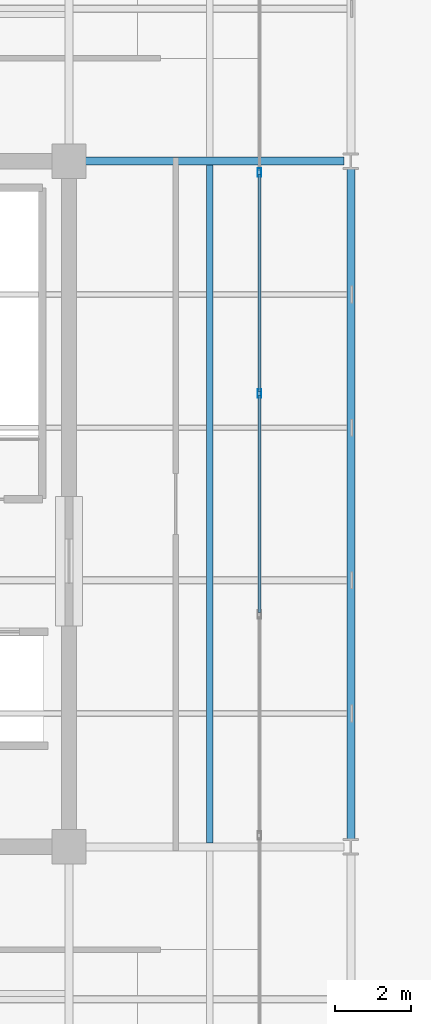
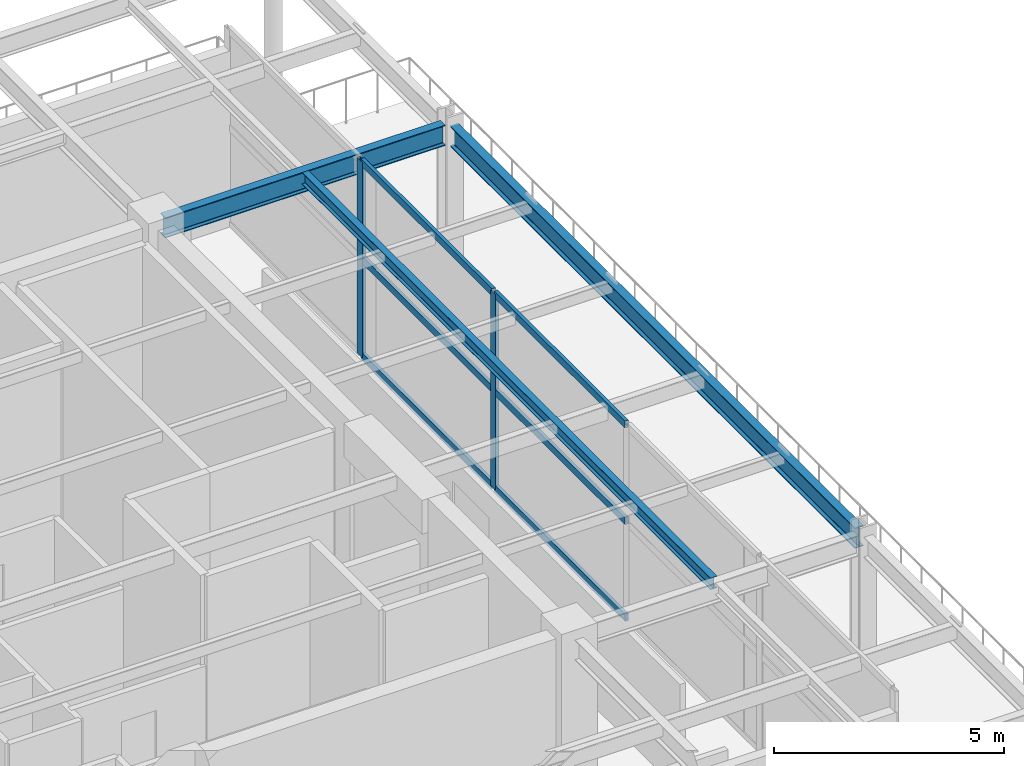
# One storey, part 7 of 16: 8 members, 3 beams, 1 element without a shape of its own.
"""IFC4 building model written with IfcOpenShell, lengths in metres."""

import ifcopenshell
import ifcopenshell.guid

model = None  # the IFC model being written
_history = None  # IfcOwnerHistory: only IFC2X3 demands one
_inside = {}  # id of a spatial element -> (the spatial element, [elements in it])
_under = {}  # id of a project, library or spatial element -> (it, [spatial elements below it])
_declared = {}  # id of a project -> (the project, [libraries it declares])
_typed = {}  # id of a type object -> (the type object, [elements of that type])
_made_of = {}  # id of a material, layer set ... -> (it, [elements and type objects made of it])


def new_model(schema):
    """Start an empty IFC model of exactly this schema.

    Asked for "IFC4X3", IfcOpenShell would pick the latest addendum, in which some entities
    have other attributes; the version numbers below select the first issue.
    IFC2X3 requires an IfcOwnerHistory on every rooted entity: one is made here for all.
    """
    global model, _history
    if schema == "IFC4X3":
        model = ifcopenshell.file(schema_version=(4, 3, 0, 0))
    else:
        model = ifcopenshell.file(schema=schema)
    _inside.clear()
    _under.clear()
    _declared.clear()
    _typed.clear()
    _made_of.clear()
    _history = None
    if model.schema == "IFC2X3":
        org = make("IfcOrganization", Name="unknown")
        user = make(
            "IfcPersonAndOrganization",
            ThePerson=make("IfcPerson", FamilyName="unknown"),
            TheOrganization=org,
        )
        app = make(
            "IfcApplication",
            ApplicationDeveloper=org,
            Version="unknown",
            ApplicationFullName="unknown",
            ApplicationIdentifier="unknown",
        )
        _history = make(
            "IfcOwnerHistory",
            OwningUser=user,
            OwningApplication=app,
            ChangeAction="ADDED",
            CreationDate=0,
        )
    return model


def make(cls, **values):
    """One entity of the class cls with the attributes given. An attribute that is None is left unset."""
    return model.create_entity(
        cls, **{name: value for name, value in values.items() if value is not None}
    )


def rooted(cls, **values):
    """An entity with a GlobalId (a new one), such as an element, a storey or a relation."""
    return make(cls, GlobalId=ifcopenshell.guid.new(), OwnerHistory=_history, **values)


def si_unit(unit_type, name, prefix=None):
    """IfcSIUnit, for example si_unit("LENGTHUNIT", "METRE", prefix="MILLI")."""
    return make("IfcSIUnit", UnitType=unit_type, Prefix=prefix, Name=name)


def assignment(units):
    """IfcUnitAssignment: the units of a project."""
    return None if units is None else make("IfcUnitAssignment", Units=units)


def point(xyz):
    """IfcCartesianPoint."""
    return None if xyz is None else make("IfcCartesianPoint", Coordinates=xyz)


def direction(xyz):
    """IfcDirection."""
    return None if xyz is None else make("IfcDirection", DirectionRatios=xyz)


def frame(location, z_axis=None, x_axis=None):
    """IfcAxis2Placement3D, a coordinate frame: its origin and axes. An axis left out is left unset."""
    return make(
        "IfcAxis2Placement3D",
        Location=point(location),
        Axis=direction(z_axis),
        RefDirection=direction(x_axis),
    )


def frame_2d(location, x_axis=None):
    """IfcAxis2Placement2D, a coordinate frame in the plane: its origin and x axis."""
    return make(
        "IfcAxis2Placement2D", Location=point(location), RefDirection=direction(x_axis)
    )


def origin():
    """The frame at (0, 0, 0) with its axes left unset."""
    return frame((0.0, 0.0, 0.0))


def origin_2d():
    """The frame at (0, 0) in the plane with its x axis left unset."""
    return frame_2d((0.0, 0.0))


def place(relative_to, where):
    """IfcLocalPlacement: puts the frame where relative to a parent placement (None: the world)."""
    return make(
        "IfcLocalPlacement", PlacementRelTo=relative_to, RelativePlacement=where
    )


def context(
    kind, dimensions, precision=None, world=None, true_north=None, identifier=None
):
    """IfcGeometricRepresentationContext, for example the 3D "Model" context."""
    return make(
        "IfcGeometricRepresentationContext",
        ContextIdentifier=identifier,
        ContextType=kind,
        CoordinateSpaceDimension=dimensions,
        Precision=precision,
        WorldCoordinateSystem=world,
        TrueNorth=true_north,
    )


def subcontext(parent, identifier, kind, view, scale=None):
    """IfcGeometricRepresentationSubContext, for example "Body" below "Model"."""
    return make(
        "IfcGeometricRepresentationSubContext",
        ContextIdentifier=identifier,
        ContextType=kind,
        ParentContext=parent,
        TargetScale=scale,
        TargetView=view,
    )


def project(units=None, contexts=None):
    """IfcProject with its units and contexts."""
    return rooted(
        "IfcProject",
        Name="project",
        RepresentationContexts=contexts,
        UnitsInContext=assignment(units),
    )


def spatial(cls, under=None, at=None, **own):
    """A site, building, storey or space (cls), placed at a placement, below another one or the project."""
    s = rooted(cls, ObjectPlacement=at, **own)
    if under is not None:
        _under.setdefault(under.id(), (under, []))[1].append(s)
    return s


def profile(cls, at=None, kind="AREA", **sizes):
    """A parametric profile (cls). Its sizes go by their IFC names, for example OverallWidth=200.0."""
    return make(cls, ProfileType=kind, Position=at, **sizes)


def hollow_rectangle(**sizes):
    """IfcRectangleHollowProfileDef."""
    return profile("IfcRectangleHollowProfileDef", **sizes)


def i_section(**sizes):
    """IfcIShapeProfileDef."""
    return profile("IfcIShapeProfileDef", **sizes)


def extrude(swept, where, along, depth):
    """IfcExtrudedAreaSolid: the profile swept, set in the frame where, extruded along a direction by depth."""
    return make(
        "IfcExtrudedAreaSolid",
        SweptArea=swept,
        Position=where,
        ExtrudedDirection=direction(along),
        Depth=depth,
    )


def shape(context_of_items, identifier, shape_type, items):
    """IfcShapeRepresentation: the items that make up one representation, for example the "Body"."""
    return make(
        "IfcShapeRepresentation",
        ContextOfItems=context_of_items,
        RepresentationIdentifier=identifier,
        RepresentationType=shape_type,
        Items=items,
    )


def material(Name=None, Category=None):
    """IfcMaterial."""
    return make("IfcMaterial", Name=Name, Category=Category)


def material_profile(
    of_material, cross_section, Name=None, Category=None, Priority=None
):
    """IfcMaterialProfile: a cross section and its material."""
    return make(
        "IfcMaterialProfile",
        Name=Name,
        Material=of_material,
        Profile=cross_section,
        Priority=Priority,
        Category=Category,
    )


def profile_set(profiles, Name=None, composite=None):
    """IfcMaterialProfileSet."""
    return make(
        "IfcMaterialProfileSet",
        Name=Name,
        MaterialProfiles=profiles,
        CompositeProfile=composite,
    )


def made_of(thing, what):
    """Note that an element or type object is made of a material, layer set ...; save() writes the relation."""
    if what is not None:
        _made_of.setdefault(what.id(), (what, []))[1].append(thing)
    return thing


def type_object(cls, material=None, **own):
    """A type object (cls), such as IfcWallType, which elements share."""
    return made_of(rooted(cls, **own), material)


def element(
    cls,
    number,
    at=None,
    inside=None,
    cuts=None,
    type_object=None,
    material=None,
    context=None,
    identifier="Body",
    shape_type=None,
    held_by="IfcProductDefinitionShape",
    body=None,
    shapes=None,
    **own,
):
    """One element of the class cls, such as IfcWall. Its Tag is "e" and its number.

    at: its placement. inside: the storey or other place that contains it. cuts: it is an
    opening in that element (IfcRelVoidsElement). A single representation is given by context,
    identifier, shape_type and body (its items); several are given by shapes. held_by: the class
    of the entity that holds the representations. save() writes the other relations.
    """
    e = rooted(cls, Tag="e%d" % number, ObjectPlacement=at, **own)
    if body is not None:
        shapes = [shape(context, identifier, shape_type, body)]
    if shapes is not None:
        e.Representation = make(held_by, Representations=shapes)
    if inside is not None:
        _inside.setdefault(inside.id(), (inside, []))[1].append(e)
    if cuts is not None:
        rooted(
            "IfcRelVoidsElement", RelatingBuildingElement=cuts, RelatedOpeningElement=e
        )
    if type_object is not None:
        _typed.setdefault(type_object.id(), (type_object, []))[1].append(e)
    return made_of(e, material)


def aggregate(whole, parts):
    """IfcRelAggregates: a whole, such as a stair, and the parts it consists of."""
    return rooted("IfcRelAggregates", RelatingObject=whole, RelatedObjects=parts)


def save(model, path):
    """Write the relations noted so far, then the file.

    IfcRelAggregates (storeys below a building ...), IfcRelContainedInSpatialStructure (elements
    in a storey), IfcRelDefinesByType, IfcRelAssociatesMaterial and IfcRelDeclares: one each for
    every whole, place, type object, material and project.
    """
    for whole, parts in _under.values():
        aggregate(whole, parts)
    for where, things in _inside.values():
        rooted(
            "IfcRelContainedInSpatialStructure",
            RelatedElements=things,
            RelatingStructure=where,
        )
    for kind, things in _typed.values():
        rooted("IfcRelDefinesByType", RelatedObjects=things, RelatingType=kind)
    for what, things in _made_of.values():
        rooted("IfcRelAssociatesMaterial", RelatedObjects=things, RelatingMaterial=what)
    for by, libraries in _declared.values():
        rooted("IfcRelDeclares", RelatingContext=by, RelatedDefinitions=libraries)
    model.write(path)


model = new_model("IFC4")

# Units and contexts
model_context = context("Model", 3, precision=1e-05, world=origin(), true_north=direction((0.0, 1.0)))
body_context = subcontext(model_context, "Body", "Model", "MODEL_VIEW")
ifc_project = project(units=[si_unit("LENGTHUNIT", "METRE"), si_unit("AREAUNIT", "SQUARE_METRE"), si_unit("VOLUMEUNIT", "CUBIC_METRE"), si_unit("PLANEANGLEUNIT", "RADIAN"), si_unit("MASSUNIT", "GRAM", prefix="KILO")], contexts=[model_context])

# Site, building, storey
site_placement = place(None, origin())
site = spatial("IfcSite", under=ifc_project, at=site_placement, CompositionType="ELEMENT")
building_placement = place(site_placement, origin())
building = spatial("IfcBuilding", under=site, at=building_placement, Name="Kovane Verandah Tower", CompositionType="ELEMENT")
storey_placement = place(building_placement, frame((0.0, 0.0, 354.300048828125)))
storey = spatial("IfcBuildingStorey", under=building, at=storey_placement, Name="L82", CompositionType="ELEMENT", Elevation=354.300048828125)

# Beams
ifc_material_1 = material(Name="Steel S355", Category="steel")
ifc_material_profile_1 = material_profile(ifc_material_1, i_section(OverallWidth=0.2119140625, OverallDepth=0.54443359375, WebThickness=0.0126953125, FlangeThickness=0.021240234375, FilletRadius=0.0126953125, at=origin_2d()), Name="UB533x210x122")
ifc_profile_set_1 = profile_set([ifc_material_profile_1], Name="Steel S355")
beam_type_1 = type_object("IfcBeamType", Name="BM-UB533x122", PredefinedType="BEAM", material=ifc_profile_set_1)
beam_1_placement = place(storey_placement, frame((58.39990234375, 18.679931640625, 4.9677734375), z_axis=(0.0, 1.0, 0.0), x_axis=(-1.0, 0.0, 0.0)))
element("IfcBeam", 1, at=beam_1_placement, inside=storey, type_object=beam_type_1, Name="L82 Primary Tower Girder G-RE2", PredefinedType="BEAM", context=body_context, shape_type="SweptSolid", body=[
    extrude(i_section(OverallWidth=0.2119140625, OverallDepth=0.54443359375, WebThickness=0.0126953125, FlangeThickness=0.021240234375, FilletRadius=0.0126953125, at=origin_2d()), origin(), (0.0, 0.0, 1.0), 17.64013671875),
])
beam_2_placement = place(storey_placement, frame((51.179931640625, 36.5, 4.9677734375), z_axis=(1.0, 0.0, 0.0), x_axis=(0.0, 1.0, 0.0)))
element("IfcBeam", 2, at=beam_2_placement, inside=storey, type_object=beam_type_1, Name="L82 Primary Tower Girder G-E2", PredefinedType="BEAM", context=body_context, shape_type="SweptSolid", body=[
    extrude(i_section(OverallWidth=0.2119140625, OverallDepth=0.54443359375, WebThickness=0.0126953125, FlangeThickness=0.021240234375, FilletRadius=0.0126953125, at=origin_2d()), origin(), (0.0, 0.0, 1.0), 7.0400390625),
])

# Curtain wall, members
ifc_material_2 = material(Name="Champagne Anodised Aluminium Frame with Low-E Clear Laminated Glass", Category="aluminium")
curtain_wall_type = type_object("IfcCurtainWallType", Name="CW-SYS-06-CROWN", PredefinedType="NOTDEFINED", material=ifc_material_2)
curtain_wall_placement = place(storey_placement, origin())
curtain_wall = element("IfcCurtainWall", 3, at=curtain_wall_placement, inside=storey, type_object=curtain_wall_type, Name="L82 Crown Enclosure Curtain Wall E", PredefinedType="NOTDEFINED")
ifc_material_3 = material(Name="Champagne Anodised Aluminium 6063-T6", Category="aluminium")
ifc_material_profile_2 = material_profile(ifc_material_3, hollow_rectangle(XDim=0.0849609375, YDim=0.22998046875, WallThickness=0.00390625, at=origin_2d()), Name="AL85x230x4")
ifc_profile_set_2 = profile_set([ifc_material_profile_2], Name="Champagne Anodised Aluminium 6063-T6")
member_type_1 = type_object("IfcMemberType", Name="CW-MUL-85x230", PredefinedType="MULLION", material=ifc_profile_set_2)
member_1_placement = place(storey_placement, frame((56.0, 30.39990234375, 0.02001953125), z_axis=(0.0, 0.0, 1.0), x_axis=(1.0, 0.0, 0.0)))
member_1 = element("IfcMember", 4, at=member_1_placement, type_object=member_type_1, Name="L82 Crown Enclosure Curtain Wall E Mullion 4", PredefinedType="MULLION", context=body_context, shape_type="SweptSolid", body=[
    extrude(hollow_rectangle(XDim=0.0849609375, YDim=0.22998046875, WallThickness=0.00390625, at=origin_2d()), origin(), (0.0, 0.0, 1.0), 5.199951171875),
])
member_2_placement = place(storey_placement, frame((56.0, 36.199951171875, 0.02001953125), z_axis=(0.0, 0.0, 1.0), x_axis=(1.0, 0.0, 0.0)))
member_2 = element("IfcMember", 5, at=member_2_placement, type_object=member_type_1, Name="L82 Crown Enclosure Curtain Wall E Mullion 5", PredefinedType="MULLION", context=body_context, shape_type="SweptSolid", body=[
    extrude(hollow_rectangle(XDim=0.0849609375, YDim=0.22998046875, WallThickness=0.00390625, at=origin_2d()), origin(), (0.0, 0.0, 1.0), 5.199951171875),
])
ifc_material_profile_3 = material_profile(ifc_material_3, hollow_rectangle(XDim=0.0849609375, YDim=0.18994140625, WallThickness=0.00390625, at=origin_2d()), Name="AL85x190x4")
ifc_profile_set_3 = profile_set([ifc_material_profile_3], Name="Champagne Anodised Aluminium 6063-T6")
member_type_2 = type_object("IfcMemberType", Name="CW-TRN-85x190", PredefinedType="USERDEFINED", material=ifc_profile_set_3)
member_3_placement = place(storey_placement, frame((56.0, 24.64990234375, 0.050048828125), z_axis=(0.0, 1.0, 0.0), x_axis=(-1.0, 0.0, 0.0)))
member_3 = element("IfcMember", 6, at=member_3_placement, type_object=member_type_2, Name="L82 Crown Enclosure Curtain Wall E Transom TB Bay 3", ObjectType="TRANSOM", PredefinedType="USERDEFINED", context=body_context, shape_type="SweptSolid", body=[
    extrude(hollow_rectangle(XDim=0.0849609375, YDim=0.18994140625, WallThickness=0.00390625, at=origin_2d()), origin(), (0.0, 0.0, 1.0), 5.7001953125),
])
member_4_placement = place(storey_placement, frame((56.0, 24.64990234375, 2.619873046875), z_axis=(0.0, 1.0, 0.0), x_axis=(-1.0, 0.0, 0.0)))
member_4 = element("IfcMember", 7, at=member_4_placement, type_object=member_type_2, Name="L82 Crown Enclosure Curtain Wall E Transom TM Bay 3", ObjectType="TRANSOM", PredefinedType="USERDEFINED", context=body_context, shape_type="SweptSolid", body=[
    extrude(hollow_rectangle(XDim=0.0849609375, YDim=0.18994140625, WallThickness=0.00390625, at=origin_2d()), origin(), (0.0, 0.0, 1.0), 5.7001953125),
])
member_5_placement = place(storey_placement, frame((56.0, 24.64990234375, 5.18994140625), z_axis=(0.0, 1.0, 0.0), x_axis=(-1.0, 0.0, 0.0)))
member_5 = element("IfcMember", 8, at=member_5_placement, type_object=member_type_2, Name="L82 Crown Enclosure Curtain Wall E Transom TT Bay 3", ObjectType="TRANSOM", PredefinedType="USERDEFINED", context=body_context, shape_type="SweptSolid", body=[
    extrude(hollow_rectangle(XDim=0.0849609375, YDim=0.18994140625, WallThickness=0.00390625, at=origin_2d()), origin(), (0.0, 0.0, 1.0), 5.7001953125),
])
member_6_placement = place(storey_placement, frame((56.0, 30.449951171875, 0.050048828125), z_axis=(0.0, 1.0, 0.0), x_axis=(-1.0, 0.0, 0.0)))
member_6 = element("IfcMember", 9, at=member_6_placement, type_object=member_type_2, Name="L82 Crown Enclosure Curtain Wall E Transom TB Bay 4", ObjectType="TRANSOM", PredefinedType="USERDEFINED", context=body_context, shape_type="SweptSolid", body=[
    extrude(hollow_rectangle(XDim=0.0849609375, YDim=0.18994140625, WallThickness=0.00390625, at=origin_2d()), origin(), (0.0, 0.0, 1.0), 5.699951171875),
])
member_7_placement = place(storey_placement, frame((56.0, 30.449951171875, 2.619873046875), z_axis=(0.0, 1.0, 0.0), x_axis=(-1.0, 0.0, 0.0)))
member_7 = element("IfcMember", 10, at=member_7_placement, type_object=member_type_2, Name="L82 Crown Enclosure Curtain Wall E Transom TM Bay 4", ObjectType="TRANSOM", PredefinedType="USERDEFINED", context=body_context, shape_type="SweptSolid", body=[
    extrude(hollow_rectangle(XDim=0.0849609375, YDim=0.18994140625, WallThickness=0.00390625, at=origin_2d()), origin(), (0.0, 0.0, 1.0), 5.699951171875),
])
member_8_placement = place(storey_placement, frame((56.0, 30.449951171875, 5.18994140625), z_axis=(0.0, 1.0, 0.0), x_axis=(-1.0, 0.0, 0.0)))
member_8 = element("IfcMember", 11, at=member_8_placement, type_object=member_type_2, Name="L82 Crown Enclosure Curtain Wall E Transom TT Bay 4", ObjectType="TRANSOM", PredefinedType="USERDEFINED", context=body_context, shape_type="SweptSolid", body=[
    extrude(hollow_rectangle(XDim=0.0849609375, YDim=0.18994140625, WallThickness=0.00390625, at=origin_2d()), origin(), (0.0, 0.0, 1.0), 5.699951171875),
])
aggregate(curtain_wall, [member_1, member_2, member_3, member_4, member_5, member_6, member_7, member_8])

# Beam
ifc_material_profile_4 = material_profile(ifc_material_1, i_section(OverallWidth=0.1669921875, OverallDepth=0.310302734375, WebThickness=0.0078125, FlangeThickness=0.013671875, FilletRadius=0.0087890625, at=origin_2d()), Name="UB305x165x54")
ifc_profile_set_4 = profile_set([ifc_material_profile_4], Name="Steel S355")
beam_type_2 = type_object("IfcBeamType", Name="JST-UB305x54", PredefinedType="JOIST", material=ifc_profile_set_4)
beam_3_placement = place(storey_placement, frame((54.699951171875, 18.60400390625, 5.084716796875), z_axis=(0.0, 1.0, 0.0), x_axis=(-1.0, 0.0, 0.0)))
element("IfcBeam", 12, at=beam_3_placement, inside=storey, type_object=beam_type_2, Name="L82 Secondary Composite Joist J-E1", PredefinedType="JOIST", context=body_context, shape_type="SweptSolid", body=[
    extrude(i_section(OverallWidth=0.1669921875, OverallDepth=0.310302734375, WebThickness=0.0078125, FlangeThickness=0.013671875, FilletRadius=0.0087890625, at=origin_2d()), origin(), (0.0, 0.0, 1.0), 17.7919921875),
])

save(model, "model.ifc")
